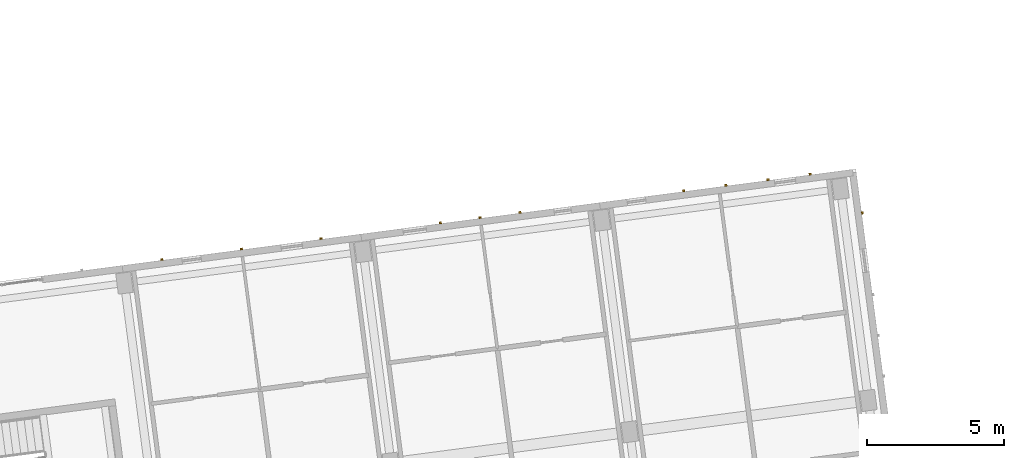
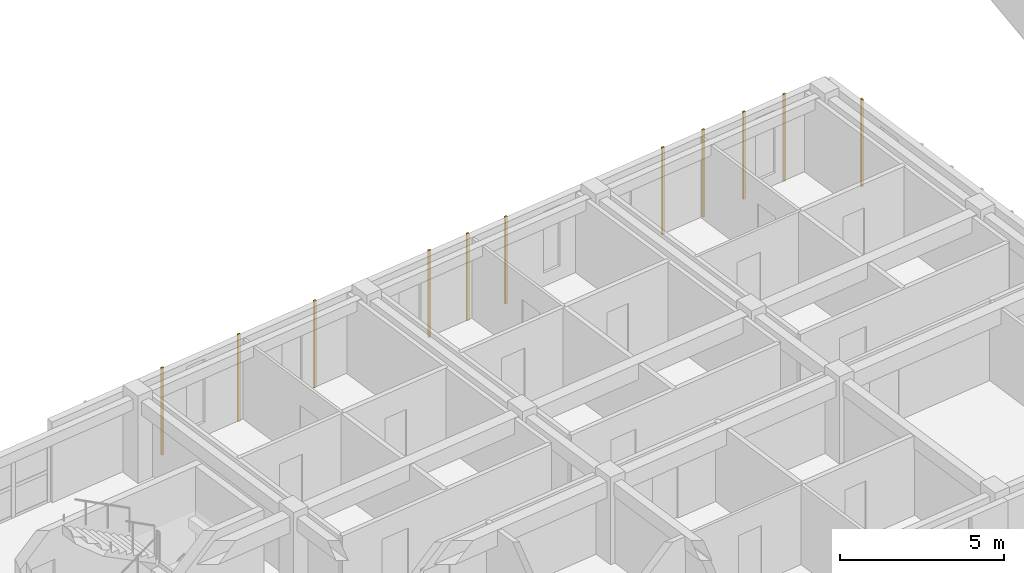
# One storey, part 111 of 127: 11 coverings.
"""IFC4 building model written with IfcOpenShell, lengths in metres."""

from ifc_helpers import new_model, si_unit, direction, frame, origin, origin_2d, place, context, subcontext, project, spatial, rectangle, extrude, material, layer, layer_set, type_object, element, save


model = new_model("IFC4")

# Units and contexts
model_context = context("Model", 3, precision=1e-05, world=origin(), true_north=direction((0.0, 1.0)))
body_context = subcontext(model_context, "Body", "Model", "MODEL_VIEW")
ifc_project = project(units=[si_unit("LENGTHUNIT", "METRE"), si_unit("AREAUNIT", "SQUARE_METRE"), si_unit("VOLUMEUNIT", "CUBIC_METRE"), si_unit("PLANEANGLEUNIT", "RADIAN"), si_unit("MASSUNIT", "GRAM", prefix="KILO")], contexts=[model_context])

# Site, building, storey
site_placement = place(None, origin())
site = spatial("IfcSite", under=ifc_project, at=site_placement, CompositionType="ELEMENT")
building_placement = place(site_placement, origin())
building = spatial("IfcBuilding", under=site, at=building_placement, Name="Kestramere Prow Commons", CompositionType="ELEMENT")
storey_placement = place(building_placement, frame((0.0, 0.0, 8.39990234375)))
storey = spatial("IfcBuildingStorey", under=building, at=storey_placement, Name="L02", CompositionType="ELEMENT", Elevation=8.39990234375)

# Coverings
ifc_material = material(Name="Weathered Zinc-Titanium Standing-Seam Cladding")
ifc_layer = layer(ifc_material, 0.074951171875)
ifc_layer_set = layer_set([ifc_layer], Name="Weathered Zinc-Titanium Standing-Seam Cladding")
covering_type = type_object("IfcCoveringType", Name="COV-CLAD-SEAM", PredefinedType="CLADDING", material=ifc_layer_set)
for number, where, z_axis, x_axis, name in (
    (1, (36.12939453125, 96.137939453125, -0.25), (0.0, 0.0, 1.0), (0.991444861374, 0.13052619222, 0.0), "EW-A-L02-N-3 Standing-Seam Rib 1"),
    (2, (39.03759765625, 96.520751953125, -0.25), (0.0, 0.0, 1.0), (0.991444861374, 0.13052619222, 0.0), "EW-A-L02-N-3 Standing-Seam Rib 3"),
    (3, (41.94580078125, 96.903564453125, -0.25), (0.0, 0.0, 1.0), (0.991444861374, 0.13052619222, 0.0), "EW-A-L02-N-3 Standing-Seam Rib 5"),
    (4, (46.30810546875, 97.47802734375, -0.25), (0.0, 0.0, 1.0), (0.991444861374, 0.13052619222, 0.0), "EW-A-L02-N-4 Standing-Seam Rib 2"),
    (5, (47.76220703125, 97.66943359375, -0.25), (0.0, 0.0, 1.0), (0.991444861374, 0.13052619222, 0.0), "EW-A-L02-N-4 Standing-Seam Rib 3"),
    (6, (49.21630859375, 97.86083984375, -0.25), (0.0, 0.0, 1.0), (0.991444861374, 0.13052619222, 0.0), "EW-A-L02-N-4 Standing-Seam Rib 4"),
    (7, (55.206298828125, 98.6494140625, -0.25), (0.0, 0.0, 1.0), (0.991444861374, 0.13052619222, 0.0), "EW-A-L02-N-5 Standing-Seam Rib 2"),
    (8, (56.747314453125, 98.852294921875, -0.25), (0.0, 0.0, 1.0), (0.991444861374, 0.13052619222, 0.0), "EW-A-L02-N-5 Standing-Seam Rib 3"),
    (9, (58.2880859375, 99.05517578125, -0.25), (0.0, 0.0, 1.0), (0.991444861374, 0.13052619222, 0.0), "EW-A-L02-N-5 Standing-Seam Rib 4"),
    (10, (59.828857421875, 99.258056640625, -0.25), (0.0, 0.0, 1.0), (0.991444861374, 0.13052619222, 0.0), "EW-A-L02-N-5 Standing-Seam Rib 5"),
    (11, (61.7373046875, 97.8388671875, -0.25), (0.0, 0.0, 1.0), (0.13052619222, -0.991444861374, 0.0), "EW-A-L02-EAV Standing-Seam Rib 1"),
):
    element("IfcCovering", number, at=place(storey_placement, frame(where, z_axis=z_axis, x_axis=x_axis)), inside=storey, type_object=covering_type, Name=name, PredefinedType="CLADDING", context=body_context, shape_type="SweptSolid", body=[
        extrude(rectangle(XDim=0.0849609375, YDim=0.06494140625, at=origin_2d()), origin(), (0.0, 0.0, 1.0), 3.25),
    ])

save(model, "model.ifc")
